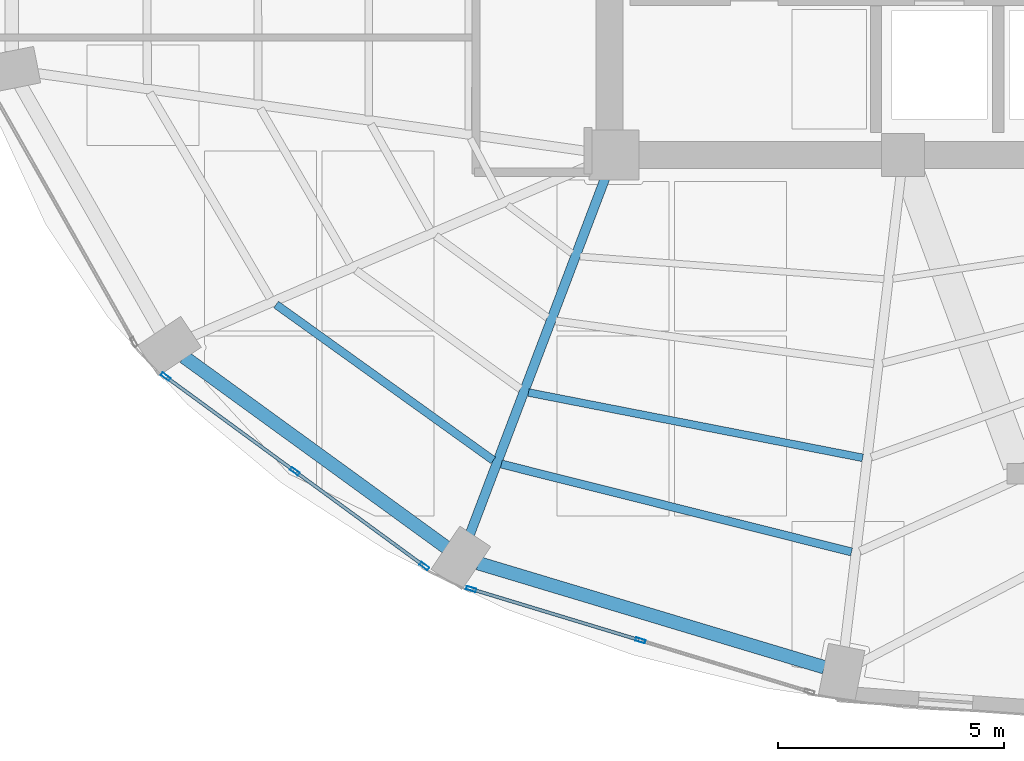
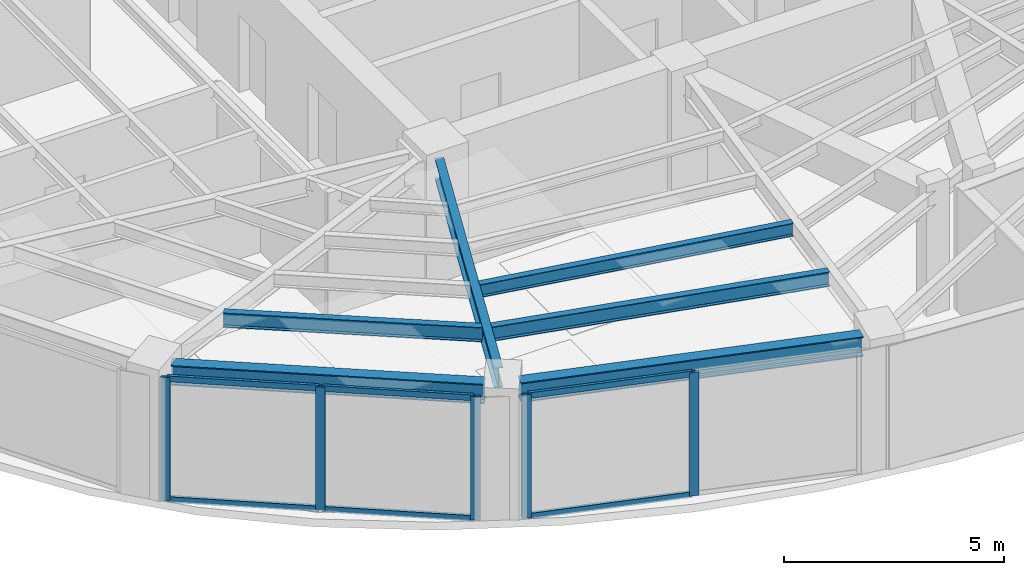
# One storey, part 2 of 19: 11 members, 6 beams, 2 elements without a shape of their own.
"""IFC4 building model written with IfcOpenShell, lengths in metres."""

from ifc_helpers import new_model, si_unit, direction, frame, origin, origin_2d, place, context, subcontext, project, spatial, hollow_rectangle, i_section, extrude, material, layer, layer_set, material_profile, profile_set, type_object, element, aggregate, save


model = new_model("IFC4")

# Units and contexts
model_context = context("Model", 3, precision=1e-05, world=origin(), true_north=direction((0.0, 1.0)))
body_context = subcontext(model_context, "Body", "Model", "MODEL_VIEW")
ifc_project = project(units=[si_unit("LENGTHUNIT", "METRE"), si_unit("AREAUNIT", "SQUARE_METRE"), si_unit("VOLUMEUNIT", "CUBIC_METRE"), si_unit("PLANEANGLEUNIT", "RADIAN"), si_unit("MASSUNIT", "GRAM", prefix="KILO")], contexts=[model_context])

# Site, building, storey
site_placement = place(None, origin())
site = spatial("IfcSite", under=ifc_project, at=site_placement, CompositionType="ELEMENT")
building_placement = place(site_placement, origin())
building = spatial("IfcBuilding", under=site, at=building_placement, Name="Lazwardi Medical Tower", CompositionType="ELEMENT")
storey_placement = place(building_placement, frame((0.0, 0.0, 167.471923828125)))
storey = spatial("IfcBuildingStorey", under=building, at=storey_placement, Name="L43", CompositionType="ELEMENT", Elevation=167.471923828125)

# Beams
ifc_material_1 = material(Name="Steel S355", Category="steel")
ifc_material_profile_1 = material_profile(ifc_material_1, i_section(OverallWidth=0.300048828125, OverallDepth=0.550048828125, WebThickness=0.014892578125, FlangeThickness=0.029052734375, at=origin_2d()), Name="HEB 550")
ifc_profile_set_1 = profile_set([ifc_material_profile_1], Name="Steel S355")
beam_type_1 = type_object("IfcBeamType", Name="BM-RB-Z3", PredefinedType="BEAM", material=ifc_profile_set_1)
beam_1_placement = place(storey_placement, frame((16.88818359375, 15.93408203125, 3.153076171875), z_axis=(0.809127570774, -0.587633026824, 0.0), x_axis=(0.587633026824, 0.809127570774, 0.0)))
element("IfcBeam", 1, at=beam_1_placement, inside=storey, type_object=beam_type_1, Name="Ring beam RB-04 B14 L43", PredefinedType="BEAM", context=body_context, shape_type="SweptSolid", body=[
    extrude(i_section(OverallWidth=0.300048828125, OverallDepth=0.550048828125, WebThickness=0.014892578125, FlangeThickness=0.029052734375, at=origin_2d()), origin(), (0.0, 0.0, 1.0), 7.170166015625),
])
beam_2_placement = place(storey_placement, frame((23.396484375, 11.37060546875, 3.153076171875), z_axis=(0.957616873483, -0.288045002771, 0.0), x_axis=(0.288045002771, 0.957616873483, 0.0)))
element("IfcBeam", 2, at=beam_2_placement, inside=storey, type_object=beam_type_1, Name="Ring beam RB-04 B15 L43", PredefinedType="BEAM", context=body_context, shape_type="SweptSolid", body=[
    extrude(i_section(OverallWidth=0.300048828125, OverallDepth=0.550048828125, WebThickness=0.014892578125, FlangeThickness=0.029052734375, at=origin_2d()), origin(), (0.0, 0.0, 1.0), 7.99951171875),
])
ifc_material_profile_2 = material_profile(ifc_material_1, i_section(OverallWidth=0.2099609375, OverallDepth=0.550048828125, WebThickness=0.010986328125, FlangeThickness=0.01708984375, at=origin_2d()), Name="IPE 550")
ifc_profile_set_2 = profile_set([ifc_material_profile_2], Name="Steel S355")
beam_type_2 = type_object("IfcBeamType", Name="BM-RG-W2", PredefinedType="BEAM", material=ifc_profile_set_2)
beam_3_placement = place(storey_placement, frame((23.21240234375, 12.00927734375, 3.153076171875), z_axis=(0.355126771712, 0.934818151307, 0.0), x_axis=(-0.934818151307, 0.355126771712, 0.0)))
element("IfcBeam", 3, at=beam_3_placement, inside=storey, type_object=beam_type_2, Name="Radial girder RG-03 R15 L43", PredefinedType="BEAM", context=body_context, shape_type="SweptSolid", body=[
    extrude(i_section(OverallWidth=0.2099609375, OverallDepth=0.550048828125, WebThickness=0.010986328125, FlangeThickness=0.01708984375, at=origin_2d()), origin(), (0.0, 0.0, 1.0), 8.44091796875),
])
ifc_material_profile_3 = material_profile(ifc_material_1, i_section(OverallWidth=0.179931640625, OverallDepth=0.39990234375, WebThickness=0.008544921875, FlangeThickness=0.013427734375, at=origin_2d()), Name="IPE 400")
ifc_profile_set_3 = profile_set([ifc_material_profile_3], Name="Steel S355")
beam_type_3 = type_object("IfcBeamType", Name="BM-SJ-01", PredefinedType="JOIST", material=ifc_profile_set_3)
beam_4_placement = place(storey_placement, frame((18.926025390625, 17.091796875, 3.22802734375), z_axis=(0.812602017757, -0.582818977675, 0.0), x_axis=(0.582818977675, 0.812602017757, 0.0)))
element("IfcBeam", 4, at=beam_4_placement, inside=storey, type_object=beam_type_3, Name="Secondary joist SJ-01 R1 B14 L43", PredefinedType="JOIST", context=body_context, shape_type="SweptSolid", body=[
    extrude(i_section(OverallWidth=0.179931640625, OverallDepth=0.39990234375, WebThickness=0.008544921875, FlangeThickness=0.013427734375, at=origin_2d()), origin(), (0.0, 0.0, 1.0), 5.91259765625),
])
beam_5_placement = place(storey_placement, frame((23.908935546875, 13.56298828125, 3.22802734375), z_axis=(0.969933596942, -0.243369713652, 0.0), x_axis=(0.243369713652, 0.969933596942, 0.0)))
element("IfcBeam", 5, at=beam_5_placement, inside=storey, type_object=beam_type_3, Name="Secondary joist SJ-01 R1 B15 L43", PredefinedType="JOIST", context=body_context, shape_type="SweptSolid", body=[
    extrude(i_section(OverallWidth=0.179931640625, OverallDepth=0.39990234375, WebThickness=0.008544921875, FlangeThickness=0.013427734375, at=origin_2d()), origin(), (0.0, 0.0, 1.0), 7.98828125),
])
ifc_material_profile_4 = material_profile(ifc_material_1, i_section(OverallWidth=0.169921875, OverallDepth=0.360107421875, WebThickness=0.008056640625, FlangeThickness=0.0126953125, at=origin_2d()), Name="IPE 360")
ifc_profile_set_4 = profile_set([ifc_material_profile_4], Name="Steel S355")
beam_type_4 = type_object("IfcBeamType", Name="BM-SJ-02", PredefinedType="JOIST", material=ifc_profile_set_4)
beam_6_placement = place(storey_placement, frame((24.509521484375, 15.146484375, 3.248046875), z_axis=(0.98141534692, -0.191895588353, 0.0), x_axis=(0.191895588353, 0.98141534692, 0.0)))
element("IfcBeam", 6, at=beam_6_placement, inside=storey, type_object=beam_type_4, Name="Secondary joist SJ-02 R2 B15 L43", PredefinedType="JOIST", context=body_context, shape_type="SweptSolid", body=[
    extrude(i_section(OverallWidth=0.169921875, OverallDepth=0.360107421875, WebThickness=0.008056640625, FlangeThickness=0.0126953125, at=origin_2d()), origin(), (0.0, 0.0, 1.0), 7.534423828125),
])

# Curtain wall, members
ifc_material_2 = material(Name="Anodised bronze aluminium and solar control glazing", Category="aluminium")
ifc_layer = layer(ifc_material_2, 0.195068359375)
ifc_layer_set = layer_set([ifc_layer], Name="Anodised bronze aluminium and solar control glazing")
curtain_wall_type = type_object("IfcCurtainWallType", Name="CW-SYS-03", PredefinedType="NOTDEFINED", material=ifc_layer_set)
curtain_wall_1_placement = place(storey_placement, origin())
curtain_wall_1 = element("IfcCurtainWall", 7, at=curtain_wall_1_placement, inside=storey, type_object=curtain_wall_type, Name="L43 Unitised bronze curtain wall CW-03", PredefinedType="NOTDEFINED")
ifc_material_3 = material(Name="Anodised bronze aluminium", Category="aluminium")
ifc_material_profile_5 = material_profile(ifc_material_3, hollow_rectangle(XDim=0.074951171875, YDim=0.219970703125, WallThickness=0.00390625, at=origin_2d()), Name="ALU-MULLION 220x75x4")
ifc_profile_set_5 = profile_set([ifc_material_profile_5], Name="Anodised bronze aluminium")
member_type_1 = type_object("IfcMemberType", Name="CW-MUL-01", PredefinedType="MULLION", material=ifc_profile_set_5)
member_1_placement = place(storey_placement, frame((16.480224609375, 15.4970703125, 0.0), z_axis=(0.0, 0.0, 1.0), x_axis=(0.590833862635, 0.806793249082, 0.0)))
member_1 = element("IfcMember", 8, at=member_1_placement, type_object=member_type_1, Name="CW-03 mullion 1", PredefinedType="MULLION", context=body_context, shape_type="SweptSolid", body=[
    extrude(hollow_rectangle(XDim=0.074951171875, YDim=0.219970703125, WallThickness=0.00390625, at=origin_2d()), origin(), (0.0, 0.0, 1.0), 3.427978515625),
])
member_2_placement = place(storey_placement, frame((19.34228515625, 13.401123046875, 0.0), z_axis=(0.0, 0.0, 1.0), x_axis=(0.590833862635, 0.806793249082, 0.0)))
member_2 = element("IfcMember", 9, at=member_2_placement, type_object=member_type_1, Name="CW-03 mullion 2", PredefinedType="MULLION", context=body_context, shape_type="SweptSolid", body=[
    extrude(hollow_rectangle(XDim=0.074951171875, YDim=0.219970703125, WallThickness=0.00390625, at=origin_2d()), origin(), (0.0, 0.0, 1.0), 3.427978515625),
])
member_3_placement = place(storey_placement, frame((22.204345703125, 11.30517578125, 0.0), z_axis=(0.0, 0.0, 1.0), x_axis=(0.590833862635, 0.806793249082, 0.0)))
member_3 = element("IfcMember", 10, at=member_3_placement, type_object=member_type_1, Name="CW-03 mullion 3", PredefinedType="MULLION", context=body_context, shape_type="SweptSolid", body=[
    extrude(hollow_rectangle(XDim=0.074951171875, YDim=0.219970703125, WallThickness=0.00390625, at=origin_2d()), origin(), (0.0, 0.0, 1.0), 3.427978515625),
])

curtain_wall_2_placement = place(storey_placement, origin())
curtain_wall_2 = element("IfcCurtainWall", 11, at=curtain_wall_2_placement, inside=storey, type_object=curtain_wall_type, Name="L43 Unitised bronze curtain wall CW-03", PredefinedType="NOTDEFINED")
member_4_placement = place(storey_placement, frame((23.241943359375, 10.796630859375, 0.0), z_axis=(0.0, 0.0, 1.0), x_axis=(0.290280785441, 0.956941516292, 0.0)))
member_4 = element("IfcMember", 12, at=member_4_placement, type_object=member_type_1, Name="CW-03 mullion 1", PredefinedType="MULLION", context=body_context, shape_type="SweptSolid", body=[
    extrude(hollow_rectangle(XDim=0.074951171875, YDim=0.219970703125, WallThickness=0.00390625, at=origin_2d()), origin(), (0.0, 0.0, 1.0), 3.427978515625),
])
member_5_placement = place(storey_placement, frame((26.98486328125, 9.661376953125, 0.0), z_axis=(0.0, 0.0, 1.0), x_axis=(0.290280785441, 0.956941516292, 0.0)))
member_5 = element("IfcMember", 13, at=member_5_placement, type_object=member_type_1, Name="CW-03 mullion 2", PredefinedType="MULLION", context=body_context, shape_type="SweptSolid", body=[
    extrude(hollow_rectangle(XDim=0.074951171875, YDim=0.219970703125, WallThickness=0.00390625, at=origin_2d()), origin(), (0.0, 0.0, 1.0), 3.427978515625),
])

# Member
ifc_material_profile_6 = material_profile(ifc_material_3, hollow_rectangle(XDim=0.074951171875, YDim=0.159912109375, WallThickness=0.00390625, at=origin_2d()), Name="ALU-TRANSOM 160x75x4")
ifc_profile_set_6 = profile_set([ifc_material_profile_6], Name="Anodised bronze aluminium")
member_type_2 = type_object("IfcMemberType", Name="CW-TRN-01", PredefinedType="USERDEFINED", material=ifc_profile_set_6)
member_6_placement = place(storey_placement, frame((16.510498046875, 15.474853515625, 0.03759765625), z_axis=(0.806807161185, -0.590814864962, 0.0), x_axis=(0.590814864962, 0.806807161185, 0.0)))
member_6 = element("IfcMember", 14, at=member_6_placement, type_object=member_type_2, Name="CW-03 transom 1.1", ObjectType="TRANSOM", PredefinedType="USERDEFINED", context=body_context, shape_type="SweptSolid", body=[
    extrude(hollow_rectangle(XDim=0.074951171875, YDim=0.159912109375, WallThickness=0.00390625, at=origin_2d()), origin(), (0.0, 0.0, 1.0), 3.472412109375),
])

member_7_placement = place(storey_placement, frame((16.510498046875, 15.474853515625, 3.390625), z_axis=(0.806807161185, -0.590814864962, 0.0), x_axis=(0.590814864962, 0.806807161185, 0.0)))
member_7 = element("IfcMember", 15, at=member_7_placement, type_object=member_type_2, Name="CW-03 transom 1.2", ObjectType="TRANSOM", PredefinedType="USERDEFINED", context=body_context, shape_type="SweptSolid", body=[
    extrude(hollow_rectangle(XDim=0.074951171875, YDim=0.159912109375, WallThickness=0.00390625, at=origin_2d()), origin(), (0.0, 0.0, 1.0), 3.472412109375),
])

member_8_placement = place(storey_placement, frame((19.37255859375, 13.37890625, 0.03759765625), z_axis=(0.806807161185, -0.590814864962, 0.0), x_axis=(0.590814864962, 0.806807161185, 0.0)))
member_8 = element("IfcMember", 16, at=member_8_placement, type_object=member_type_2, Name="CW-03 transom 2.1", ObjectType="TRANSOM", PredefinedType="USERDEFINED", context=body_context, shape_type="SweptSolid", body=[
    extrude(hollow_rectangle(XDim=0.074951171875, YDim=0.159912109375, WallThickness=0.00390625, at=origin_2d()), origin(), (0.0, 0.0, 1.0), 3.472412109375),
])

member_9_placement = place(storey_placement, frame((19.37255859375, 13.37890625, 3.390625), z_axis=(0.806807161185, -0.590814864962, 0.0), x_axis=(0.590814864962, 0.806807161185, 0.0)))
member_9 = element("IfcMember", 17, at=member_9_placement, type_object=member_type_2, Name="CW-03 transom 2.2", ObjectType="TRANSOM", PredefinedType="USERDEFINED", context=body_context, shape_type="SweptSolid", body=[
    extrude(hollow_rectangle(XDim=0.074951171875, YDim=0.159912109375, WallThickness=0.00390625, at=origin_2d()), origin(), (0.0, 0.0, 1.0), 3.472412109375),
])

aggregate(curtain_wall_1, [member_1, member_2, member_3, member_6, member_7, member_8, member_9])

member_10_placement = place(storey_placement, frame((23.27783203125, 10.785888671875, 0.03759765625), z_axis=(0.956930154175, -0.290318239233, 0.0), x_axis=(0.290318239233, 0.956930154175, 0.0)))
member_10 = element("IfcMember", 18, at=member_10_placement, type_object=member_type_2, Name="CW-03 transom 1.1", ObjectType="TRANSOM", PredefinedType="USERDEFINED", context=body_context, shape_type="SweptSolid", body=[
    extrude(hollow_rectangle(XDim=0.074951171875, YDim=0.159912109375, WallThickness=0.00390625, at=origin_2d()), origin(), (0.0, 0.0, 1.0), 3.83642578125),
])

member_11_placement = place(storey_placement, frame((23.27783203125, 10.785888671875, 3.390625), z_axis=(0.956930154175, -0.290318239233, 0.0), x_axis=(0.290318239233, 0.956930154175, 0.0)))
member_11 = element("IfcMember", 19, at=member_11_placement, type_object=member_type_2, Name="CW-03 transom 1.2", ObjectType="TRANSOM", PredefinedType="USERDEFINED", context=body_context, shape_type="SweptSolid", body=[
    extrude(hollow_rectangle(XDim=0.074951171875, YDim=0.159912109375, WallThickness=0.00390625, at=origin_2d()), origin(), (0.0, 0.0, 1.0), 3.83642578125),
])

aggregate(curtain_wall_2, [member_4, member_5, member_10, member_11])

save(model, "model.ifc")
